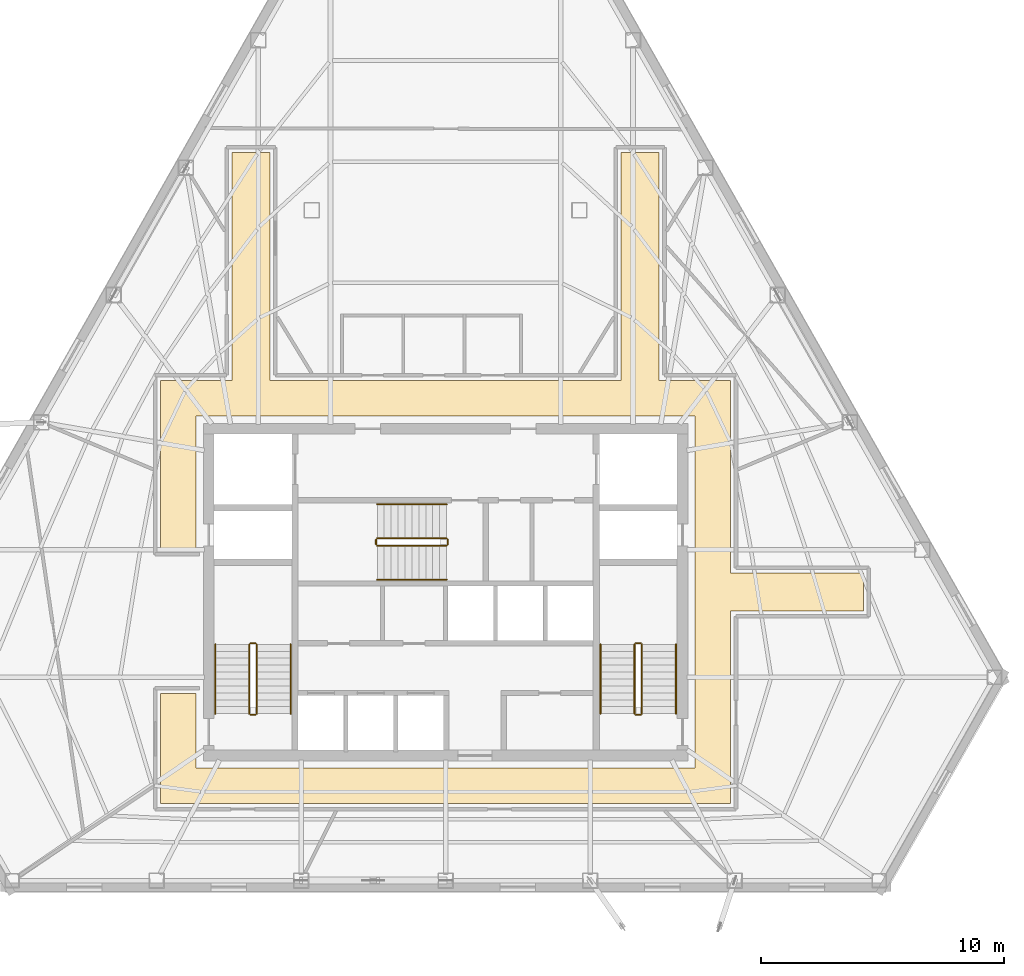
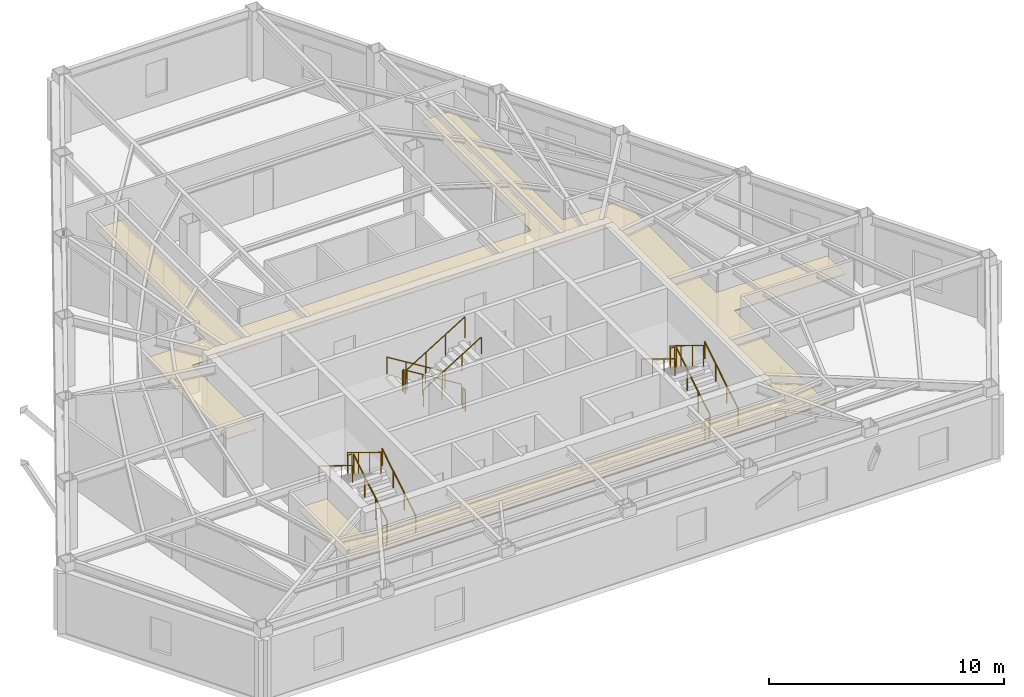
# One storey, part 11 of 11: 18 railings, 1 covering.
"""IFC4 building model written with IfcOpenShell, lengths in metres."""

from ifc_helpers import new_model, si_unit, direction, frame, origin, origin_2d, place, context, subcontext, project, spatial, polyline, circle, outline, extrude, material, layer, layer_set, type_object, element, save


model = new_model("IFC4")

# Units and contexts
model_context = context("Model", 3, precision=1e-05, world=origin(), true_north=direction((0.0, 1.0)))
body_context = subcontext(model_context, "Body", "Model", "MODEL_VIEW")
ifc_project = project(units=[si_unit("LENGTHUNIT", "METRE"), si_unit("AREAUNIT", "SQUARE_METRE"), si_unit("VOLUMEUNIT", "CUBIC_METRE"), si_unit("PLANEANGLEUNIT", "RADIAN"), si_unit("MASSUNIT", "GRAM", prefix="KILO")], contexts=[model_context])

# Site, building, storey
site_placement = place(None, origin())
site = spatial("IfcSite", under=ifc_project, at=site_placement, CompositionType="ELEMENT")
building_placement = place(site_placement, origin())
building = spatial("IfcBuilding", under=site, at=building_placement, Name="Kavelnor Concourse Tower", CompositionType="ELEMENT")
storey_placement = place(building_placement, frame((0.0, 0.0, 165.0)))
storey = spatial("IfcBuildingStorey", under=building, at=storey_placement, Name="L41", CompositionType="ELEMENT", Elevation=165.0)

# Covering
ifc_material_1 = material(Name="Mineral fibre acoustic ceiling tile")
ifc_layer = layer(ifc_material_1, 0.0400390625, Name="Mineral fibre acoustic ceiling tile")
ifc_layer_set = layer_set([ifc_layer], Name="Mineral fibre acoustic ceiling tile")
covering_type = type_object("IfcCoveringType", Name="COV-CEILING-ACOUSTIC", PredefinedType="CEILING", material=ifc_layer_set)
covering_placement = place(storey_placement, frame((0.0, 0.0, 2.75)))
element("IfcCovering", 1, at=covering_placement, inside=storey, type_object=covering_type, Name="L41 Suspended Acoustic Ceiling", PredefinedType="CEILING", context=body_context, shape_type="SweptSolid", body=[
    extrude(outline(polyline([(29.219970703125, 24.800048828125), (29.219970703125, 34.167236328125), (30.780029296875, 34.167236328125), (30.780029296875, 24.800048828125), (45.219970703125, 24.800048828125), (45.219970703125, 34.167236328125), (46.780029296875, 34.167236328125), (46.780029296875, 24.800048828125), (49.719970703125, 24.800048828125), (49.719970703125, 16.8798828125), (55.179931640625, 16.8798828125), (55.179931640625, 15.320068359375), (49.719970703125, 15.320068359375), (49.719970703125, 7.39990234375), (26.280029296875, 7.39990234375), (26.280029296875, 11.929931640625), (27.739990234375, 11.929931640625), (27.739990234375, 8.860107421875), (48.260009765625, 8.860107421875), (48.260009765625, 23.340087890625), (27.739990234375, 23.340087890625), (27.739990234375, 17.8701171875), (26.280029296875, 17.8701171875), (26.280029296875, 24.800048828125), (29.219970703125, 24.800048828125)])), origin(), (0.0, 0.0, 1.0), 0.0400390625),
])

# Railings
ifc_material_2 = material(Name="Steel Grade 350", Category="steel")
railing_type_1 = type_object("IfcRailingType", Name="RLG-GUARD-1100", PredefinedType="GUARDRAIL", material=ifc_material_2)
railing_1_placement = place(storey_placement, frame((30.22998046875, 11.10009765625, 0.175048828125)))
element("IfcRailing", 2, at=railing_1_placement, inside=storey, type_object=railing_type_1, Name="L41 ST1 stair guard 1", PredefinedType="GUARDRAIL", context=body_context, shape_type="SweptSolid", body=[
    extrude(circle(Radius=0.02392578125, at=origin_2d()), frame((0.0, 0.0, 1.076171875), z_axis=(0.0, 0.852159232446, 0.523282564737), x_axis=(-1.0, 0.0, 0.0)), (0.0, 0.0, 1.0), 3.34423828125),
    extrude(circle(Radius=0.02099609375, at=origin_2d()), origin(), (0.0, 0.0, 1.0), 1.052001953125),
    extrude(circle(Radius=0.02099609375, at=origin_2d()), frame((0.0, 0.949951171875, 0.583251953125)), (0.0, 0.0, 1.0), 1.052001953125),
    extrude(circle(Radius=0.02099609375, at=origin_2d()), frame((0.0, 1.89990234375, 1.166748046875)), (0.0, 0.0, 1.0), 1.052001953125),
    extrude(circle(Radius=0.02099609375, at=origin_2d()), frame((0.0, 2.849853515625, 1.75)), (0.0, 0.0, 1.0), 1.052001953125),
])
railing_2_placement = place(storey_placement, frame((30.179931640625, 14.0, 1.925048828125)))
element("IfcRailing", 3, at=railing_2_placement, inside=storey, type_object=railing_type_1, Name="L41 ST1 stair guard 2", PredefinedType="GUARDRAIL", context=body_context, shape_type="SweptSolid", body=[
    extrude(circle(Radius=0.02392578125, at=origin_2d()), frame((0.0, 0.0, 1.076171875), z_axis=(-1.0, 0.0, 0.0), x_axis=(0.0, -1.0, 0.0)), (0.0, 0.0, 1.0), 0.199951171875),
    extrude(circle(Radius=0.02099609375, at=origin_2d()), origin(), (0.0, 0.0, 1.0), 1.052001953125),
    extrude(circle(Radius=0.02099609375, at=origin_2d()), frame((-0.199951171875, 0.0, 0.0)), (0.0, 0.0, 1.0), 1.052001953125),
])
railing_3_placement = place(storey_placement, frame((29.929931640625, 13.949951171875, 2.10009765625)))
element("IfcRailing", 4, at=railing_3_placement, inside=storey, type_object=railing_type_1, Name="L41 ST1 stair guard 3", PredefinedType="GUARDRAIL", context=body_context, shape_type="SweptSolid", body=[
    extrude(circle(Radius=0.02392578125, at=origin_2d()), frame((0.0, 0.0, 1.076171875), z_axis=(0.0, -0.852159232446, 0.523282564737), x_axis=(1.0, 0.0, 0.0)), (0.0, 0.0, 1.0), 3.34423828125),
    extrude(circle(Radius=0.02099609375, at=origin_2d()), origin(), (0.0, 0.0, 1.0), 1.052001953125),
    extrude(circle(Radius=0.02099609375, at=origin_2d()), frame((0.0, -0.949951171875, 0.583251953125)), (0.0, 0.0, 1.0), 1.052001953125),
    extrude(circle(Radius=0.02099609375, at=origin_2d()), frame((0.0, -1.89990234375, 1.166748046875)), (0.0, 0.0, 1.0), 1.052001953125),
    extrude(circle(Radius=0.02099609375, at=origin_2d()), frame((0.0, -2.849853515625, 1.75)), (0.0, 0.0, 1.0), 1.052001953125),
])
railing_4_placement = place(storey_placement, frame((30.179931640625, 11.050048828125, 0.0)))
element("IfcRailing", 5, at=railing_4_placement, inside=storey, type_object=railing_type_1, Name="L41 ST1 stair guard 4", PredefinedType="GUARDRAIL", context=body_context, shape_type="SweptSolid", body=[
    extrude(circle(Radius=0.02392578125, at=origin_2d()), frame((0.0, 0.0, 1.076171875), z_axis=(-1.0, 0.0, 0.0), x_axis=(0.0, -1.0, 0.0)), (0.0, 0.0, 1.0), 0.199951171875),
    extrude(circle(Radius=0.02099609375, at=origin_2d()), origin(), (0.0, 0.0, 1.0), 1.052001953125),
    extrude(circle(Radius=0.02099609375, at=origin_2d()), frame((-0.199951171875, 0.0, 0.0)), (0.0, 0.0, 1.0), 1.052001953125),
])
railing_5_placement = place(storey_placement, frame((46.070068359375, 11.10009765625, 0.175048828125)))
element("IfcRailing", 6, at=railing_5_placement, inside=storey, type_object=railing_type_1, Name="L41 ST2 stair guard 1", PredefinedType="GUARDRAIL", context=body_context, shape_type="SweptSolid", body=[
    extrude(circle(Radius=0.02392578125, at=origin_2d()), frame((0.0, 0.0, 1.076171875), z_axis=(0.0, 0.852159232446, 0.523282564737), x_axis=(-1.0, 0.0, 0.0)), (0.0, 0.0, 1.0), 3.34423828125),
    extrude(circle(Radius=0.02099609375, at=origin_2d()), origin(), (0.0, 0.0, 1.0), 1.052001953125),
    extrude(circle(Radius=0.02099609375, at=origin_2d()), frame((0.0, 0.949951171875, 0.583251953125)), (0.0, 0.0, 1.0), 1.052001953125),
    extrude(circle(Radius=0.02099609375, at=origin_2d()), frame((0.0, 1.89990234375, 1.166748046875)), (0.0, 0.0, 1.0), 1.052001953125),
    extrude(circle(Radius=0.02099609375, at=origin_2d()), frame((0.0, 2.849853515625, 1.75)), (0.0, 0.0, 1.0), 1.052001953125),
])
railing_6_placement = place(storey_placement, frame((46.02001953125, 14.0, 1.925048828125)))
element("IfcRailing", 7, at=railing_6_placement, inside=storey, type_object=railing_type_1, Name="L41 ST2 stair guard 2", PredefinedType="GUARDRAIL", context=body_context, shape_type="SweptSolid", body=[
    extrude(circle(Radius=0.02392578125, at=origin_2d()), frame((0.0, 0.0, 1.076171875), z_axis=(-1.0, 0.0, 0.0), x_axis=(0.0, -1.0, 0.0)), (0.0, 0.0, 1.0), 0.199951171875),
    extrude(circle(Radius=0.02099609375, at=origin_2d()), origin(), (0.0, 0.0, 1.0), 1.052001953125),
    extrude(circle(Radius=0.02099609375, at=origin_2d()), frame((-0.199951171875, 0.0, 0.0)), (0.0, 0.0, 1.0), 1.052001953125),
])
railing_7_placement = place(storey_placement, frame((45.77001953125, 13.949951171875, 2.10009765625)))
element("IfcRailing", 8, at=railing_7_placement, inside=storey, type_object=railing_type_1, Name="L41 ST2 stair guard 3", PredefinedType="GUARDRAIL", context=body_context, shape_type="SweptSolid", body=[
    extrude(circle(Radius=0.02392578125, at=origin_2d()), frame((0.0, 0.0, 1.076171875), z_axis=(0.0, -0.852159232446, 0.523282564737), x_axis=(1.0, 0.0, 0.0)), (0.0, 0.0, 1.0), 3.34423828125),
    extrude(circle(Radius=0.02099609375, at=origin_2d()), origin(), (0.0, 0.0, 1.0), 1.052001953125),
    extrude(circle(Radius=0.02099609375, at=origin_2d()), frame((0.0, -0.949951171875, 0.583251953125)), (0.0, 0.0, 1.0), 1.052001953125),
    extrude(circle(Radius=0.02099609375, at=origin_2d()), frame((0.0, -1.89990234375, 1.166748046875)), (0.0, 0.0, 1.0), 1.052001953125),
    extrude(circle(Radius=0.02099609375, at=origin_2d()), frame((0.0, -2.849853515625, 1.75)), (0.0, 0.0, 1.0), 1.052001953125),
])
railing_8_placement = place(storey_placement, frame((46.02001953125, 11.050048828125, 0.0)))
element("IfcRailing", 9, at=railing_8_placement, inside=storey, type_object=railing_type_1, Name="L41 ST2 stair guard 4", PredefinedType="GUARDRAIL", context=body_context, shape_type="SweptSolid", body=[
    extrude(circle(Radius=0.02392578125, at=origin_2d()), frame((0.0, 0.0, 1.076171875), z_axis=(-1.0, 0.0, 0.0), x_axis=(0.0, -1.0, 0.0)), (0.0, 0.0, 1.0), 0.199951171875),
    extrude(circle(Radius=0.02099609375, at=origin_2d()), origin(), (0.0, 0.0, 1.0), 1.052001953125),
    extrude(circle(Radius=0.02099609375, at=origin_2d()), frame((-0.199951171875, 0.0, 0.0)), (0.0, 0.0, 1.0), 1.052001953125),
])
railing_9_placement = place(storey_placement, frame((38.0400390625, 18.31005859375, 0.175048828125)))
element("IfcRailing", 10, at=railing_9_placement, inside=storey, type_object=railing_type_1, Name="L41 ST3 stair guard 1", PredefinedType="GUARDRAIL", context=body_context, shape_type="SweptSolid", body=[
    extrude(circle(Radius=0.02392578125, at=origin_2d()), frame((0.0, 0.0, 1.076171875), z_axis=(-0.852179220489, 0.0, 0.52325001306), x_axis=(0.0, -1.0, 0.0)), (0.0, 0.0, 1.0), 3.344482421875),
    extrude(circle(Radius=0.02099609375, at=origin_2d()), origin(), (0.0, 0.0, 1.0), 1.052001953125),
    extrude(circle(Radius=0.02099609375, at=origin_2d()), frame((-0.949951171875, 0.0, 0.583251953125)), (0.0, 0.0, 1.0), 1.052001953125),
    extrude(circle(Radius=0.02099609375, at=origin_2d()), frame((-1.900146484375, 0.0, 1.166748046875)), (0.0, 0.0, 1.0), 1.052001953125),
    extrude(circle(Radius=0.02099609375, at=origin_2d()), frame((-2.85009765625, 0.0, 1.75)), (0.0, 0.0, 1.0), 1.052001953125),
])
railing_10_placement = place(storey_placement, frame((35.139892578125, 18.260009765625, 1.925048828125)))
element("IfcRailing", 11, at=railing_10_placement, inside=storey, type_object=railing_type_1, Name="L41 ST3 stair guard 2", PredefinedType="GUARDRAIL", context=body_context, shape_type="SweptSolid", body=[
    extrude(circle(Radius=0.02392578125, at=origin_2d()), frame((0.0, 0.0, 1.076171875), z_axis=(0.0, -1.0, 0.0), x_axis=(1.0, 0.0, 0.0)), (0.0, 0.0, 1.0), 0.199951171875),
    extrude(circle(Radius=0.02099609375, at=origin_2d()), origin(), (0.0, 0.0, 1.0), 1.052001953125),
    extrude(circle(Radius=0.02099609375, at=origin_2d()), frame((0.0, -0.199951171875, 0.0)), (0.0, 0.0, 1.0), 1.052001953125),
])
railing_11_placement = place(storey_placement, frame((35.18994140625, 18.010009765625, 2.10009765625)))
element("IfcRailing", 12, at=railing_11_placement, inside=storey, type_object=railing_type_1, Name="L41 ST3 stair guard 3", PredefinedType="GUARDRAIL", context=body_context, shape_type="SweptSolid", body=[
    extrude(circle(Radius=0.02392578125, at=origin_2d()), frame((0.0, 0.0, 1.076171875), z_axis=(0.852179220489, 0.0, 0.52325001306), x_axis=(0.0, 1.0, 0.0)), (0.0, 0.0, 1.0), 3.344482421875),
    extrude(circle(Radius=0.02099609375, at=origin_2d()), origin(), (0.0, 0.0, 1.0), 1.052001953125),
    extrude(circle(Radius=0.02099609375, at=origin_2d()), frame((0.949951171875, 0.0, 0.583251953125)), (0.0, 0.0, 1.0), 1.052001953125),
    extrude(circle(Radius=0.02099609375, at=origin_2d()), frame((1.900146484375, 0.0, 1.166748046875)), (0.0, 0.0, 1.0), 1.052001953125),
    extrude(circle(Radius=0.02099609375, at=origin_2d()), frame((2.85009765625, 0.0, 1.75)), (0.0, 0.0, 1.0), 1.052001953125),
])
railing_12_placement = place(storey_placement, frame((38.090087890625, 18.260009765625, 0.0)))
element("IfcRailing", 13, at=railing_12_placement, inside=storey, type_object=railing_type_1, Name="L41 ST3 stair guard 4", PredefinedType="GUARDRAIL", context=body_context, shape_type="SweptSolid", body=[
    extrude(circle(Radius=0.02392578125, at=origin_2d()), frame((0.0, 0.0, 1.076171875), z_axis=(0.0, -1.0, 0.0), x_axis=(1.0, 0.0, 0.0)), (0.0, 0.0, 1.0), 0.199951171875),
    extrude(circle(Radius=0.02099609375, at=origin_2d()), origin(), (0.0, 0.0, 1.0), 1.052001953125),
    extrude(circle(Radius=0.02099609375, at=origin_2d()), frame((0.0, -0.199951171875, 0.0)), (0.0, 0.0, 1.0), 1.052001953125),
])
railing_type_2 = type_object("IfcRailingType", Name="RLG-HANDRAIL-900", PredefinedType="HANDRAIL", material=ifc_material_2)
railing_13_placement = place(storey_placement, frame((31.6298828125, 11.10009765625, 0.175048828125)))
element("IfcRailing", 14, at=railing_13_placement, inside=storey, type_object=railing_type_2, Name="L41 ST1 stair handrail 1", PredefinedType="HANDRAIL", context=body_context, shape_type="SweptSolid", body=[
    extrude(circle(Radius=0.02392578125, at=origin_2d()), frame((0.0, 0.0, 0.8759765625), z_axis=(0.0, 0.852159232446, 0.523282564737), x_axis=(-1.0, 0.0, 0.0)), (0.0, 0.0, 1.0), 3.34423828125),
    extrude(circle(Radius=0.02099609375, at=origin_2d()), origin(), (0.0, 0.0, 1.0), 0.851806640625),
    extrude(circle(Radius=0.02099609375, at=origin_2d()), frame((0.0, 0.949951171875, 0.583251953125)), (0.0, 0.0, 1.0), 0.851806640625),
    extrude(circle(Radius=0.02099609375, at=origin_2d()), frame((0.0, 1.89990234375, 1.166748046875)), (0.0, 0.0, 1.0), 0.851806640625),
    extrude(circle(Radius=0.02099609375, at=origin_2d()), frame((0.0, 2.849853515625, 1.75)), (0.0, 0.0, 1.0), 0.851806640625),
])
railing_14_placement = place(storey_placement, frame((28.530029296875, 13.949951171875, 2.10009765625)))
element("IfcRailing", 15, at=railing_14_placement, inside=storey, type_object=railing_type_2, Name="L41 ST1 stair handrail 2", PredefinedType="HANDRAIL", context=body_context, shape_type="SweptSolid", body=[
    extrude(circle(Radius=0.02392578125, at=origin_2d()), frame((0.0, 0.0, 0.8759765625), z_axis=(0.0, -0.852159232446, 0.523282564737), x_axis=(1.0, 0.0, 0.0)), (0.0, 0.0, 1.0), 3.34423828125),
    extrude(circle(Radius=0.02099609375, at=origin_2d()), origin(), (0.0, 0.0, 1.0), 0.851806640625),
    extrude(circle(Radius=0.02099609375, at=origin_2d()), frame((0.0, -0.949951171875, 0.583251953125)), (0.0, 0.0, 1.0), 0.851806640625),
    extrude(circle(Radius=0.02099609375, at=origin_2d()), frame((0.0, -1.89990234375, 1.166748046875)), (0.0, 0.0, 1.0), 0.851806640625),
    extrude(circle(Radius=0.02099609375, at=origin_2d()), frame((0.0, -2.849853515625, 1.75)), (0.0, 0.0, 1.0), 0.851806640625),
])
railing_15_placement = place(storey_placement, frame((47.469970703125, 11.10009765625, 0.175048828125)))
element("IfcRailing", 16, at=railing_15_placement, inside=storey, type_object=railing_type_2, Name="L41 ST2 stair handrail 1", PredefinedType="HANDRAIL", context=body_context, shape_type="SweptSolid", body=[
    extrude(circle(Radius=0.02392578125, at=origin_2d()), frame((0.0, 0.0, 0.8759765625), z_axis=(0.0, 0.852159232446, 0.523282564737), x_axis=(-1.0, 0.0, 0.0)), (0.0, 0.0, 1.0), 3.34423828125),
    extrude(circle(Radius=0.02099609375, at=origin_2d()), origin(), (0.0, 0.0, 1.0), 0.851806640625),
    extrude(circle(Radius=0.02099609375, at=origin_2d()), frame((0.0, 0.949951171875, 0.583251953125)), (0.0, 0.0, 1.0), 0.851806640625),
    extrude(circle(Radius=0.02099609375, at=origin_2d()), frame((0.0, 1.89990234375, 1.166748046875)), (0.0, 0.0, 1.0), 0.851806640625),
    extrude(circle(Radius=0.02099609375, at=origin_2d()), frame((0.0, 2.849853515625, 1.75)), (0.0, 0.0, 1.0), 0.851806640625),
])
railing_16_placement = place(storey_placement, frame((44.3701171875, 13.949951171875, 2.10009765625)))
element("IfcRailing", 17, at=railing_16_placement, inside=storey, type_object=railing_type_2, Name="L41 ST2 stair handrail 2", PredefinedType="HANDRAIL", context=body_context, shape_type="SweptSolid", body=[
    extrude(circle(Radius=0.02392578125, at=origin_2d()), frame((0.0, 0.0, 0.8759765625), z_axis=(0.0, -0.852159232446, 0.523282564737), x_axis=(1.0, 0.0, 0.0)), (0.0, 0.0, 1.0), 3.34423828125),
    extrude(circle(Radius=0.02099609375, at=origin_2d()), origin(), (0.0, 0.0, 1.0), 0.851806640625),
    extrude(circle(Radius=0.02099609375, at=origin_2d()), frame((0.0, -0.949951171875, 0.583251953125)), (0.0, 0.0, 1.0), 0.851806640625),
    extrude(circle(Radius=0.02099609375, at=origin_2d()), frame((0.0, -1.89990234375, 1.166748046875)), (0.0, 0.0, 1.0), 0.851806640625),
    extrude(circle(Radius=0.02099609375, at=origin_2d()), frame((0.0, -2.849853515625, 1.75)), (0.0, 0.0, 1.0), 0.851806640625),
])
railing_17_placement = place(storey_placement, frame((38.0400390625, 19.7099609375, 0.175048828125)))
element("IfcRailing", 18, at=railing_17_placement, inside=storey, type_object=railing_type_2, Name="L41 ST3 stair handrail 1", PredefinedType="HANDRAIL", context=body_context, shape_type="SweptSolid", body=[
    extrude(circle(Radius=0.02392578125, at=origin_2d()), frame((0.0, 0.0, 0.8759765625), z_axis=(-0.852179220489, 0.0, 0.52325001306), x_axis=(0.0, -1.0, 0.0)), (0.0, 0.0, 1.0), 3.344482421875),
    extrude(circle(Radius=0.02099609375, at=origin_2d()), origin(), (0.0, 0.0, 1.0), 0.851806640625),
    extrude(circle(Radius=0.02099609375, at=origin_2d()), frame((-0.949951171875, 0.0, 0.583251953125)), (0.0, 0.0, 1.0), 0.851806640625),
    extrude(circle(Radius=0.02099609375, at=origin_2d()), frame((-1.900146484375, 0.0, 1.166748046875)), (0.0, 0.0, 1.0), 0.851806640625),
    extrude(circle(Radius=0.02099609375, at=origin_2d()), frame((-2.85009765625, 0.0, 1.75)), (0.0, 0.0, 1.0), 0.851806640625),
])
railing_18_placement = place(storey_placement, frame((35.18994140625, 16.610107421875, 2.10009765625)))
element("IfcRailing", 19, at=railing_18_placement, inside=storey, type_object=railing_type_2, Name="L41 ST3 stair handrail 2", PredefinedType="HANDRAIL", context=body_context, shape_type="SweptSolid", body=[
    extrude(circle(Radius=0.02392578125, at=origin_2d()), frame((0.0, 0.0, 0.8759765625), z_axis=(0.852179220489, 0.0, 0.52325001306), x_axis=(0.0, 1.0, 0.0)), (0.0, 0.0, 1.0), 3.344482421875),
    extrude(circle(Radius=0.02099609375, at=origin_2d()), origin(), (0.0, 0.0, 1.0), 0.851806640625),
    extrude(circle(Radius=0.02099609375, at=origin_2d()), frame((0.949951171875, 0.0, 0.583251953125)), (0.0, 0.0, 1.0), 0.851806640625),
    extrude(circle(Radius=0.02099609375, at=origin_2d()), frame((1.900146484375, 0.0, 1.166748046875)), (0.0, 0.0, 1.0), 0.851806640625),
    extrude(circle(Radius=0.02099609375, at=origin_2d()), frame((2.85009765625, 0.0, 1.75)), (0.0, 0.0, 1.0), 0.851806640625),
])

save(model, "model.ifc")
